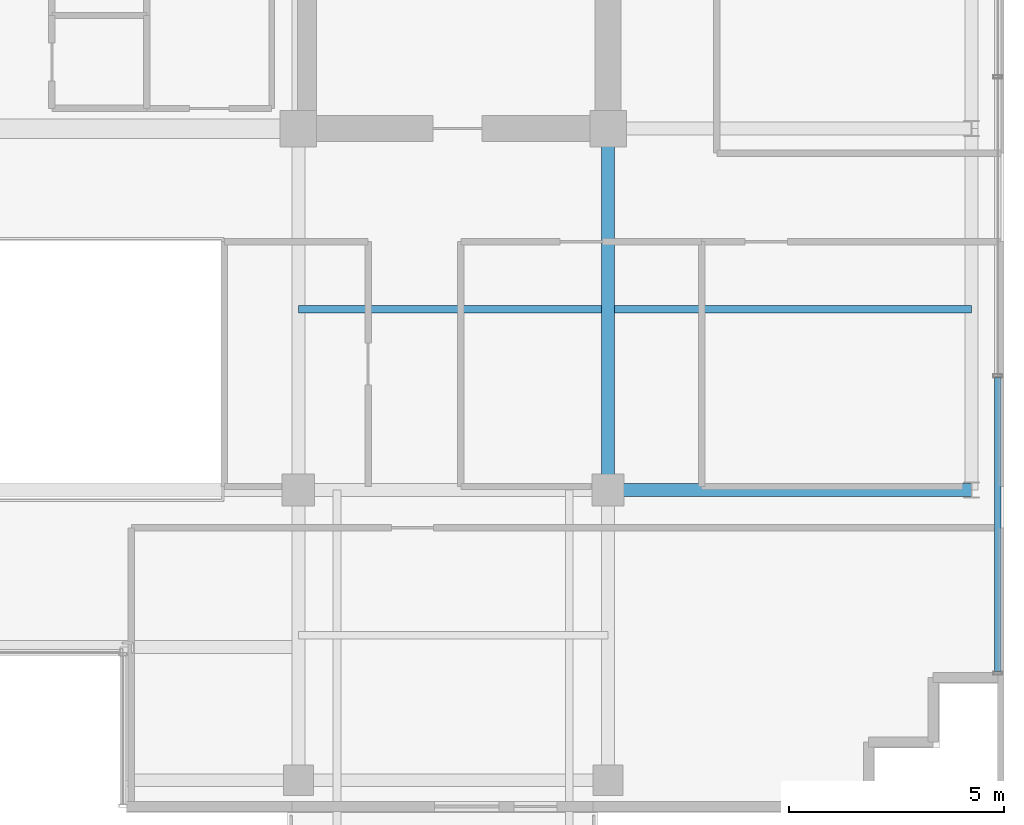
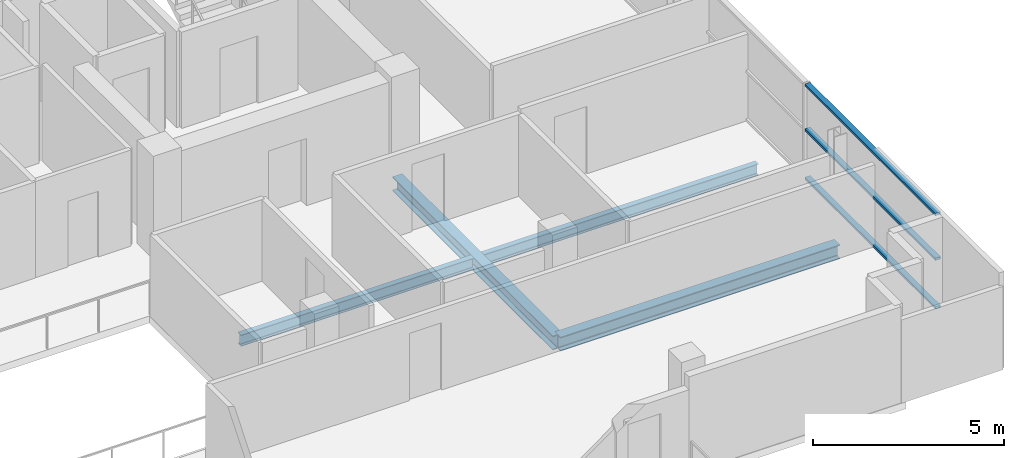
# One storey, part 8 of 21: 4 beams, 3 members, 1 element without a shape of its own.
"""IFC4 building model written with IfcOpenShell, lengths in metres."""

import ifcopenshell
import ifcopenshell.guid

model = None  # the IFC model being written
_history = None  # IfcOwnerHistory: only IFC2X3 demands one
_inside = {}  # id of a spatial element -> (the spatial element, [elements in it])
_under = {}  # id of a project, library or spatial element -> (it, [spatial elements below it])
_declared = {}  # id of a project -> (the project, [libraries it declares])
_typed = {}  # id of a type object -> (the type object, [elements of that type])
_made_of = {}  # id of a material, layer set ... -> (it, [elements and type objects made of it])


def new_model(schema):
    """Start an empty IFC model of exactly this schema.

    Asked for "IFC4X3", IfcOpenShell would pick the latest addendum, in which some entities
    have other attributes; the version numbers below select the first issue.
    IFC2X3 requires an IfcOwnerHistory on every rooted entity: one is made here for all.
    """
    global model, _history
    if schema == "IFC4X3":
        model = ifcopenshell.file(schema_version=(4, 3, 0, 0))
    else:
        model = ifcopenshell.file(schema=schema)
    _inside.clear()
    _under.clear()
    _declared.clear()
    _typed.clear()
    _made_of.clear()
    _history = None
    if model.schema == "IFC2X3":
        org = make("IfcOrganization", Name="unknown")
        user = make(
            "IfcPersonAndOrganization",
            ThePerson=make("IfcPerson", FamilyName="unknown"),
            TheOrganization=org,
        )
        app = make(
            "IfcApplication",
            ApplicationDeveloper=org,
            Version="unknown",
            ApplicationFullName="unknown",
            ApplicationIdentifier="unknown",
        )
        _history = make(
            "IfcOwnerHistory",
            OwningUser=user,
            OwningApplication=app,
            ChangeAction="ADDED",
            CreationDate=0,
        )
    return model


def make(cls, **values):
    """One entity of the class cls with the attributes given. An attribute that is None is left unset."""
    return model.create_entity(
        cls, **{name: value for name, value in values.items() if value is not None}
    )


def rooted(cls, **values):
    """An entity with a GlobalId (a new one), such as an element, a storey or a relation."""
    return make(cls, GlobalId=ifcopenshell.guid.new(), OwnerHistory=_history, **values)


def si_unit(unit_type, name, prefix=None):
    """IfcSIUnit, for example si_unit("LENGTHUNIT", "METRE", prefix="MILLI")."""
    return make("IfcSIUnit", UnitType=unit_type, Prefix=prefix, Name=name)


def assignment(units):
    """IfcUnitAssignment: the units of a project."""
    return None if units is None else make("IfcUnitAssignment", Units=units)


def point(xyz):
    """IfcCartesianPoint."""
    return None if xyz is None else make("IfcCartesianPoint", Coordinates=xyz)


def direction(xyz):
    """IfcDirection."""
    return None if xyz is None else make("IfcDirection", DirectionRatios=xyz)


def frame(location, z_axis=None, x_axis=None):
    """IfcAxis2Placement3D, a coordinate frame: its origin and axes. An axis left out is left unset."""
    return make(
        "IfcAxis2Placement3D",
        Location=point(location),
        Axis=direction(z_axis),
        RefDirection=direction(x_axis),
    )


def frame_2d(location, x_axis=None):
    """IfcAxis2Placement2D, a coordinate frame in the plane: its origin and x axis."""
    return make(
        "IfcAxis2Placement2D", Location=point(location), RefDirection=direction(x_axis)
    )


def origin():
    """The frame at (0, 0, 0) with its axes left unset."""
    return frame((0.0, 0.0, 0.0))


def origin_2d():
    """The frame at (0, 0) in the plane with its x axis left unset."""
    return frame_2d((0.0, 0.0))


def place(relative_to, where):
    """IfcLocalPlacement: puts the frame where relative to a parent placement (None: the world)."""
    return make(
        "IfcLocalPlacement", PlacementRelTo=relative_to, RelativePlacement=where
    )


def context(
    kind, dimensions, precision=None, world=None, true_north=None, identifier=None
):
    """IfcGeometricRepresentationContext, for example the 3D "Model" context."""
    return make(
        "IfcGeometricRepresentationContext",
        ContextIdentifier=identifier,
        ContextType=kind,
        CoordinateSpaceDimension=dimensions,
        Precision=precision,
        WorldCoordinateSystem=world,
        TrueNorth=true_north,
    )


def subcontext(parent, identifier, kind, view, scale=None):
    """IfcGeometricRepresentationSubContext, for example "Body" below "Model"."""
    return make(
        "IfcGeometricRepresentationSubContext",
        ContextIdentifier=identifier,
        ContextType=kind,
        ParentContext=parent,
        TargetScale=scale,
        TargetView=view,
    )


def project(units=None, contexts=None):
    """IfcProject with its units and contexts."""
    return rooted(
        "IfcProject",
        Name="project",
        RepresentationContexts=contexts,
        UnitsInContext=assignment(units),
    )


def spatial(cls, under=None, at=None, **own):
    """A site, building, storey or space (cls), placed at a placement, below another one or the project."""
    s = rooted(cls, ObjectPlacement=at, **own)
    if under is not None:
        _under.setdefault(under.id(), (under, []))[1].append(s)
    return s


def profile(cls, at=None, kind="AREA", **sizes):
    """A parametric profile (cls). Its sizes go by their IFC names, for example OverallWidth=200.0."""
    return make(cls, ProfileType=kind, Position=at, **sizes)


def hollow_rectangle(**sizes):
    """IfcRectangleHollowProfileDef."""
    return profile("IfcRectangleHollowProfileDef", **sizes)


def i_section(**sizes):
    """IfcIShapeProfileDef."""
    return profile("IfcIShapeProfileDef", **sizes)


def extrude(swept, where, along, depth):
    """IfcExtrudedAreaSolid: the profile swept, set in the frame where, extruded along a direction by depth."""
    return make(
        "IfcExtrudedAreaSolid",
        SweptArea=swept,
        Position=where,
        ExtrudedDirection=direction(along),
        Depth=depth,
    )


def shape(context_of_items, identifier, shape_type, items):
    """IfcShapeRepresentation: the items that make up one representation, for example the "Body"."""
    return make(
        "IfcShapeRepresentation",
        ContextOfItems=context_of_items,
        RepresentationIdentifier=identifier,
        RepresentationType=shape_type,
        Items=items,
    )


def source(mapping_origin, context_of_items, identifier, shape_type, items):
    """IfcRepresentationMap: a shape defined once, which mapped items show again and again."""
    return make(
        "IfcRepresentationMap",
        MappingOrigin=mapping_origin,
        MappedRepresentation=shape(context_of_items, identifier, shape_type, items),
    )


def transform(
    local_origin,
    x_axis=None,
    y_axis=None,
    z_axis=None,
    scale=None,
    scale2=None,
    scale3=None,
    uniform=True,
):
    """IfcCartesianTransformationOperator3D, or its non-uniform kind. x_axis, y_axis, z_axis: its Axis1, 2, 3."""
    if uniform:
        return make(
            "IfcCartesianTransformationOperator3D",
            Axis1=direction(x_axis),
            Axis2=direction(y_axis),
            LocalOrigin=point(local_origin),
            Scale=scale,
            Axis3=direction(z_axis),
        )
    return make(
        "IfcCartesianTransformationOperator3DnonUniform",
        Axis1=direction(x_axis),
        Axis2=direction(y_axis),
        LocalOrigin=point(local_origin),
        Scale=scale,
        Axis3=direction(z_axis),
        Scale2=scale2,
        Scale3=scale3,
    )


def mapped(mapping_source, mapping_target):
    """IfcMappedItem: shows the shape of a source again, moved by a transform."""
    return make(
        "IfcMappedItem", MappingSource=mapping_source, MappingTarget=mapping_target
    )


def material(Name=None, Category=None):
    """IfcMaterial."""
    return make("IfcMaterial", Name=Name, Category=Category)


def layer(
    of_material, thickness, ventilated=None, Name=None, Category=None, Priority=None
):
    """IfcMaterialLayer: one layer of a wall or slab, of a material (None: an air gap)."""
    return make(
        "IfcMaterialLayer",
        Material=of_material,
        LayerThickness=thickness,
        IsVentilated=ventilated,
        Name=Name,
        Category=Category,
        Priority=Priority,
    )


def layer_set(layers, Name=None):
    """IfcMaterialLayerSet."""
    return make("IfcMaterialLayerSet", MaterialLayers=layers, LayerSetName=Name)


def material_profile(
    of_material, cross_section, Name=None, Category=None, Priority=None
):
    """IfcMaterialProfile: a cross section and its material."""
    return make(
        "IfcMaterialProfile",
        Name=Name,
        Material=of_material,
        Profile=cross_section,
        Priority=Priority,
        Category=Category,
    )


def profile_set(profiles, Name=None, composite=None):
    """IfcMaterialProfileSet."""
    return make(
        "IfcMaterialProfileSet",
        Name=Name,
        MaterialProfiles=profiles,
        CompositeProfile=composite,
    )


def made_of(thing, what):
    """Note that an element or type object is made of a material, layer set ...; save() writes the relation."""
    if what is not None:
        _made_of.setdefault(what.id(), (what, []))[1].append(thing)
    return thing


def type_object(cls, material=None, **own):
    """A type object (cls), such as IfcWallType, which elements share."""
    return made_of(rooted(cls, **own), material)


def element(
    cls,
    number,
    at=None,
    inside=None,
    cuts=None,
    type_object=None,
    material=None,
    context=None,
    identifier="Body",
    shape_type=None,
    held_by="IfcProductDefinitionShape",
    body=None,
    shapes=None,
    **own,
):
    """One element of the class cls, such as IfcWall. Its Tag is "e" and its number.

    at: its placement. inside: the storey or other place that contains it. cuts: it is an
    opening in that element (IfcRelVoidsElement). A single representation is given by context,
    identifier, shape_type and body (its items); several are given by shapes. held_by: the class
    of the entity that holds the representations. save() writes the other relations.
    """
    e = rooted(cls, Tag="e%d" % number, ObjectPlacement=at, **own)
    if body is not None:
        shapes = [shape(context, identifier, shape_type, body)]
    if shapes is not None:
        e.Representation = make(held_by, Representations=shapes)
    if inside is not None:
        _inside.setdefault(inside.id(), (inside, []))[1].append(e)
    if cuts is not None:
        rooted(
            "IfcRelVoidsElement", RelatingBuildingElement=cuts, RelatedOpeningElement=e
        )
    if type_object is not None:
        _typed.setdefault(type_object.id(), (type_object, []))[1].append(e)
    return made_of(e, material)


def aggregate(whole, parts):
    """IfcRelAggregates: a whole, such as a stair, and the parts it consists of."""
    return rooted("IfcRelAggregates", RelatingObject=whole, RelatedObjects=parts)


def save(model, path):
    """Write the relations noted so far, then the file.

    IfcRelAggregates (storeys below a building ...), IfcRelContainedInSpatialStructure (elements
    in a storey), IfcRelDefinesByType, IfcRelAssociatesMaterial and IfcRelDeclares: one each for
    every whole, place, type object, material and project.
    """
    for whole, parts in _under.values():
        aggregate(whole, parts)
    for where, things in _inside.values():
        rooted(
            "IfcRelContainedInSpatialStructure",
            RelatedElements=things,
            RelatingStructure=where,
        )
    for kind, things in _typed.values():
        rooted("IfcRelDefinesByType", RelatedObjects=things, RelatingType=kind)
    for what, things in _made_of.values():
        rooted("IfcRelAssociatesMaterial", RelatedObjects=things, RelatingMaterial=what)
    for by, libraries in _declared.values():
        rooted("IfcRelDeclares", RelatingContext=by, RelatedDefinitions=libraries)
    model.write(path)


model = new_model("IFC4")

# Units and contexts
model_context = context("Model", 3, precision=1e-05, world=origin(), true_north=direction((0.0, 1.0)))
body_context = subcontext(model_context, "Body", "Model", "MODEL_VIEW")
ifc_project = project(units=[si_unit("LENGTHUNIT", "METRE"), si_unit("AREAUNIT", "SQUARE_METRE"), si_unit("VOLUMEUNIT", "CUBIC_METRE"), si_unit("PLANEANGLEUNIT", "RADIAN"), si_unit("MASSUNIT", "GRAM", prefix="KILO")], contexts=[model_context])

# Site, building, storey
site_placement = place(None, origin())
site = spatial("IfcSite", under=ifc_project, at=site_placement, CompositionType="ELEMENT")
building_placement = place(site_placement, origin())
building = spatial("IfcBuilding", under=site, at=building_placement, Name="Zarnakvel Exchange Tower", CompositionType="ELEMENT")
storey_placement = place(building_placement, frame((0.0, 0.0, 248.5)))
storey = spatial("IfcBuildingStorey", under=building, at=storey_placement, Name="L70", CompositionType="ELEMENT", Elevation=248.5)

# Beams
ifc_material_1 = material(Name="Steel S355", Category="steel")
ifc_material_profile_1 = material_profile(ifc_material_1, i_section(OverallWidth=0.169921875, OverallDepth=0.360107421875, WebThickness=0.008056640625, FlangeThickness=0.0126953125, FilletRadius=0.01806640625, at=origin_2d()))
ifc_profile_set_1 = profile_set([ifc_material_profile_1], Name="Steel S355")
beam_type_1 = type_object("IfcBeamType", Name="B-07", PredefinedType="JOIST", material=ifc_profile_set_1)
beam_1_placement = place(storey_placement, frame((7.199951171875, -5.39990234375, -0.405029296875), z_axis=(1.0, 0.0, 0.0), x_axis=(0.0, 1.0, 0.0)))
element("IfcBeam", 1, at=beam_1_placement, inside=storey, type_object=beam_type_1, Name="L70 Composite Floor Secondary Joist", PredefinedType="JOIST", context=body_context, shape_type="SweptSolid", body=[
    extrude(i_section(OverallWidth=0.169921875, OverallDepth=0.360107421875, WebThickness=0.008056640625, FlangeThickness=0.0126953125, FilletRadius=0.01806640625, at=origin_2d()), origin(), (0.0, 0.0, 1.0), 7.050048828125),
])
beam_2_placement = place(storey_placement, frame((14.550048828125, -5.39990234375, -0.405029296875), z_axis=(1.0, 0.0, 0.0), x_axis=(0.0, 1.0, 0.0)))
element("IfcBeam", 2, at=beam_2_placement, inside=storey, type_object=beam_type_1, Name="L70 Composite Floor Secondary Joist", PredefinedType="JOIST", context=body_context, shape_type="SweptSolid", body=[
    extrude(i_section(OverallWidth=0.169921875, OverallDepth=0.360107421875, WebThickness=0.008056640625, FlangeThickness=0.0126953125, FilletRadius=0.01806640625, at=origin_2d()), origin(), (0.0, 0.0, 1.0), 8.300048828125),
])
ifc_material_profile_2 = material_profile(ifc_material_1, i_section(OverallWidth=0.300048828125, OverallDepth=0.449951171875, WebThickness=0.013916015625, FlangeThickness=0.02587890625, FilletRadius=0.027099609375, at=origin_2d()))
ifc_profile_set_2 = profile_set([ifc_material_profile_2], Name="Steel S355")
beam_type_2 = type_object("IfcBeamType", Name="G-07", PredefinedType="BEAM", material=ifc_profile_set_2)
beam_3_placement = place(storey_placement, frame((14.39990234375, -9.60009765625, -0.449951171875), z_axis=(1.0, 0.0, 0.0), x_axis=(0.0, 1.0, 0.0)))
element("IfcBeam", 3, at=beam_3_placement, inside=storey, type_object=beam_type_2, Name="L70 Tower E-W Frame Beam", PredefinedType="BEAM", context=body_context, shape_type="SweptSolid", body=[
    extrude(i_section(OverallWidth=0.300048828125, OverallDepth=0.449951171875, WebThickness=0.013916015625, FlangeThickness=0.02587890625, FilletRadius=0.027099609375, at=origin_2d()), origin(), (0.0, 0.0, 1.0), 8.4501953125),
])
beam_4_placement = place(storey_placement, frame((14.39990234375, -9.60009765625, -0.449951171875), z_axis=(0.0, 1.0, 0.0), x_axis=(-1.0, 0.0, 0.0)))
element("IfcBeam", 4, at=beam_4_placement, inside=storey, type_object=beam_type_2, Name="L70 Tower N-S Frame Beam", PredefinedType="BEAM", context=body_context, shape_type="SweptSolid", body=[
    extrude(i_section(OverallWidth=0.300048828125, OverallDepth=0.449951171875, WebThickness=0.013916015625, FlangeThickness=0.02587890625, FilletRadius=0.027099609375, at=origin_2d()), origin(), (0.0, 0.0, 1.0), 8.400146484375),
])

# Curtain wall, members
ifc_material_2 = material(Name="Architectural Bronze Anodised Aluminium", Category="aluminium")
ifc_layer = layer(ifc_material_2, 0.199951171875)
ifc_layer_set = layer_set([ifc_layer], Name="Architectural Bronze Anodised Aluminium")
curtain_wall_type = type_object("IfcCurtainWallType", Name="CW-04", PredefinedType="NOTDEFINED", material=ifc_layer_set)
curtain_wall_placement = place(storey_placement, origin())
curtain_wall = element("IfcCurtainWall", 5, at=curtain_wall_placement, inside=storey, type_object=curtain_wall_type, Name="L70 Curtain Wall CW-L70-E1 (CW-04)", PredefinedType="NOTDEFINED")
ifc_material_profile_3 = material_profile(ifc_material_2, hollow_rectangle(XDim=0.159912109375, YDim=0.074951171875, WallThickness=0.00390625, at=origin_2d()))
ifc_profile_set_3 = profile_set([ifc_material_profile_3], Name="Architectural Bronze Anodised Aluminium")
member_type = type_object("IfcMemberType", Name="CWT-04", PredefinedType="USERDEFINED", material=ifc_profile_set_3)
shared_shape = source(origin(), body_context, "Body", "SweptSolid", [
    extrude(hollow_rectangle(XDim=0.159912109375, YDim=0.074951171875, WallThickness=0.00390625, at=origin_2d()), origin(), (0.0, 0.0, 1.0), 6.83740234375),
])
member_1_placement = place(storey_placement, frame((23.4599609375, -13.824951171875, 0.03759765625), z_axis=(0.0, 1.0, 0.0), x_axis=(-1.0, 0.0, 0.0)))
member_1 = element("IfcMember", 6, at=member_1_placement, type_object=member_type, Name="CW-04 transom 1.1", ObjectType="TRANSOM", PredefinedType="USERDEFINED", context=body_context, shape_type="MappedRepresentation", body=[
    mapped(shared_shape, transform((0.0, 0.0, 0.0), x_axis=(1.0, 0.0, 0.0), y_axis=(0.0, 1.0, 0.0), z_axis=(0.0, 0.0, 1.0), scale=1.0)),
])
member_2_placement = place(storey_placement, frame((23.4599609375, -13.824951171875, 1.588623046875), z_axis=(0.0, 1.0, 0.0), x_axis=(-1.0, 0.0, 0.0)))
member_2 = element("IfcMember", 7, at=member_2_placement, type_object=member_type, Name="CW-04 transom 1.2", ObjectType="TRANSOM", PredefinedType="USERDEFINED", context=body_context, shape_type="MappedRepresentation", body=[
    mapped(shared_shape, transform((0.0, 0.0, 0.0), x_axis=(1.0, 0.0, 0.0), y_axis=(0.0, 1.0, 0.0), z_axis=(0.0, 0.0, 1.0), scale=1.0)),
])
member_3_placement = place(storey_placement, frame((23.4599609375, -13.824951171875, 3.017578125), z_axis=(0.0, 1.0, 0.0), x_axis=(-1.0, 0.0, 0.0)))
member_3 = element("IfcMember", 8, at=member_3_placement, type_object=member_type, Name="CW-04 transom 1.3", ObjectType="TRANSOM", PredefinedType="USERDEFINED", context=body_context, shape_type="MappedRepresentation", body=[
    mapped(shared_shape, transform((0.0, 0.0, 0.0), x_axis=(1.0, 0.0, 0.0), y_axis=(0.0, 1.0, 0.0), z_axis=(0.0, 0.0, 1.0), scale=1.0)),
])
aggregate(curtain_wall, [member_1, member_2, member_3])

save(model, "model.ifc")
